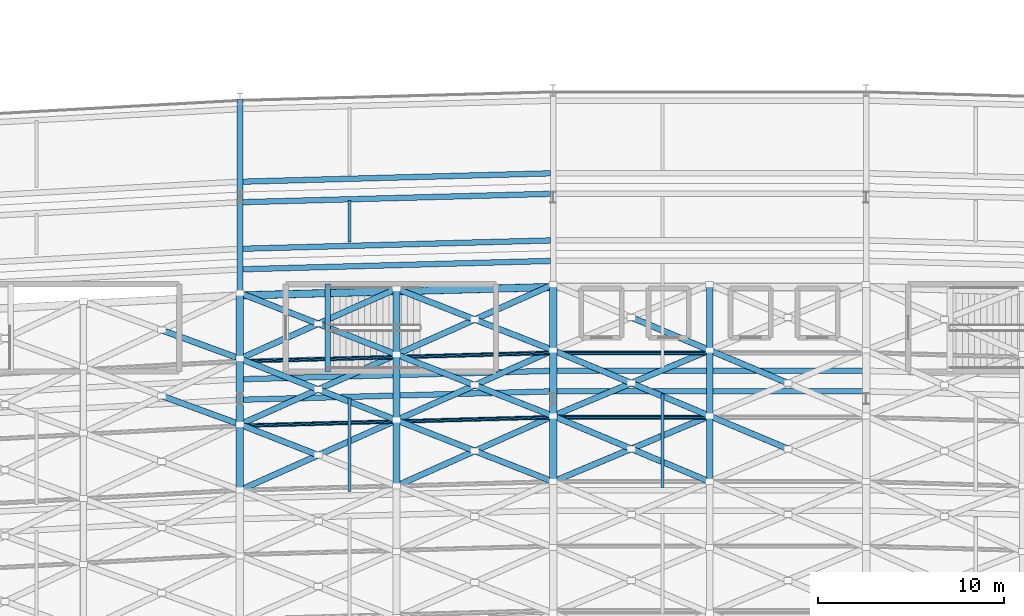
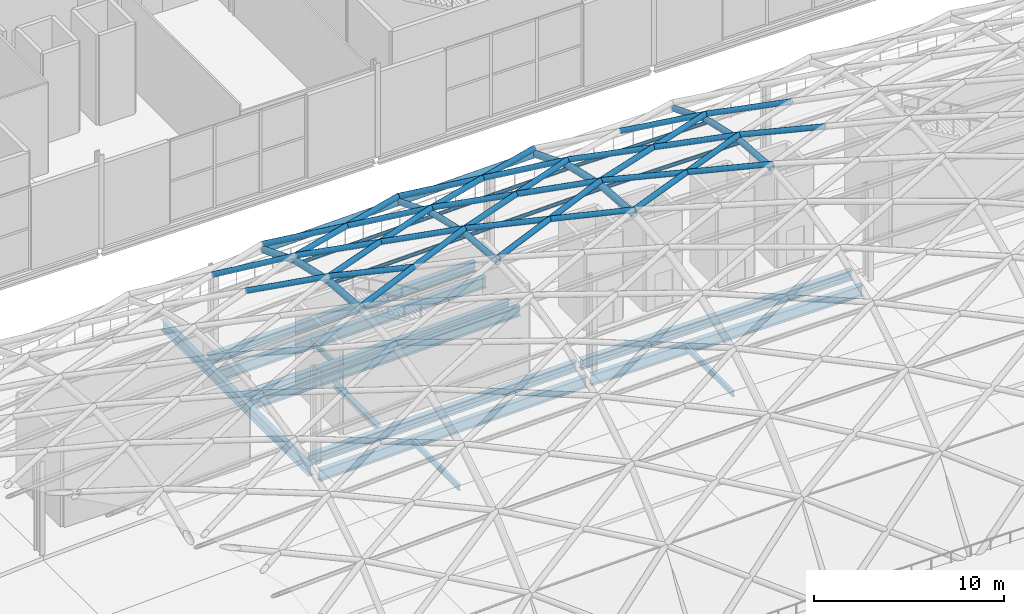
# One storey, part 33 of 100: 48 members, 13 beams.
"""IFC4 building model written with IfcOpenShell, lengths in metres."""

from ifc_helpers import new_model, si_unit, direction, frame, origin, origin_2d, place, context, subcontext, project, spatial, hollow_circle, i_section, extrude, material, material_profile, profile_set, type_object, element, save


model = new_model("IFC4")

# Units and contexts
model_context = context("Model", 3, precision=1e-05, world=origin(), true_north=direction((0.0, 1.0)))
body_context = subcontext(model_context, "Body", "Model", "MODEL_VIEW")
ifc_project = project(units=[si_unit("LENGTHUNIT", "METRE"), si_unit("AREAUNIT", "SQUARE_METRE"), si_unit("VOLUMEUNIT", "CUBIC_METRE"), si_unit("PLANEANGLEUNIT", "RADIAN"), si_unit("MASSUNIT", "GRAM", prefix="KILO")], contexts=[model_context])

# Site, building, storey
site_placement = place(None, origin())
site = spatial("IfcSite", under=ifc_project, at=site_placement, CompositionType="ELEMENT")
building_placement = place(site_placement, origin())
building = spatial("IfcBuilding", under=site, at=building_placement, Name="Kimbaza Rail Terminus", CompositionType="ELEMENT")
storey_placement = place(building_placement, frame((0.0, 0.0, 10.800048828125)))
storey = spatial("IfcBuildingStorey", under=building, at=storey_placement, Name="L02", CompositionType="ELEMENT", Elevation=10.800048828125)

# Beams
ifc_material_1 = material(Name="Steel S355", Category="steel")
ifc_material_profile_1 = material_profile(ifc_material_1, i_section(OverallWidth=0.300048828125, OverallDepth=0.2900390625, WebThickness=0.008544921875, FlangeThickness=0.013916015625, FilletRadius=0.027099609375, at=origin_2d()), Name="HEA 300")
ifc_profile_set_1 = profile_set([ifc_material_profile_1], Name="Steel S355")
beam_type_1 = type_object("IfcBeamType", Name="STR-BM-HEA300", PredefinedType="SPANDREL", material=ifc_profile_set_1)
beam_1_placement = place(storey_placement, frame((93.5, 81.659912109375, -0.405029296875), z_axis=(0.0, 1.0, 0.0), x_axis=(-1.0, 0.0, 0.0)))
element("IfcBeam", 1, at=beam_1_placement, inside=storey, type_object=beam_type_1, Name="Footbridge West Platform Stair Landing Trimmer Beam L02", PredefinedType="SPANDREL", context=body_context, shape_type="SweptSolid", body=[
    extrude(i_section(OverallWidth=0.300048828125, OverallDepth=0.2900390625, WebThickness=0.008544921875, FlangeThickness=0.013916015625, FilletRadius=0.027099609375, at=origin_2d()), origin(), (0.0, 0.0, 1.0), 4.68017578125),
])
ifc_material_2 = material(Name="Steel S355", Category="steel")
ifc_material_profile_2 = material_profile(ifc_material_2, i_section(OverallWidth=0.300048828125, OverallDepth=0.64990234375, WebThickness=0.01611328125, FlangeThickness=0.031005859375, FilletRadius=0.027099609375, at=origin_2d()), Name="HEB 650")
ifc_profile_set_2 = profile_set([ifc_material_profile_2], Name="Steel S355")
beam_type_2 = type_object("IfcBeamType", Name="STR-BM-HEB650", PredefinedType="USERDEFINED", material=ifc_profile_set_2)
for number, where, z_axis, x_axis, name in (
    (2, (88.945068359375, 81.24169921875, -0.5849609375), (0.999632852013, 0.027095408765, 0.0), (-0.027095408765, 0.999632852013, 0.0), "Viaduct Chorded Girder P3 Bay 05"),
    (3, (88.945068359375, 87.1416015625, -0.5849609375), (0.999632852013, 0.027095408765, 0.0), (-0.027095408765, 0.999632852013, 0.0), "Viaduct Chorded Girder P3 Bay 05"),
    (4, (88.945068359375, 91.841552734375, -0.5849609375), (0.999632852013, 0.027095408765, 0.0), (-0.027095408765, 0.999632852013, 0.0), "Viaduct Chorded Girder P4 Bay 05"),
):
    element("IfcBeam", number, at=place(storey_placement, frame(where, z_axis=z_axis, x_axis=x_axis)), inside=storey, type_object=beam_type_2, Name=name, ObjectType="GIRDER", PredefinedType="USERDEFINED", context=body_context, shape_type="SweptSolid", body=[
        extrude(i_section(OverallWidth=0.300048828125, OverallDepth=0.64990234375, WebThickness=0.01611328125, FlangeThickness=0.031005859375, FilletRadius=0.027099609375, at=origin_2d()), origin(), (0.0, 0.0, 1.0), 16.51611328125),
    ])
beam_2_placement = place(storey_placement, frame((105.7451171875, 81.693115234375, -0.5849609375), z_axis=(1.0, 0.0, 0.0), x_axis=(0.0, 1.0, 0.0)))
element("IfcBeam", 5, at=beam_2_placement, inside=storey, type_object=beam_type_2, Name="Viaduct Chorded Girder P3 Bay 06", ObjectType="GIRDER", PredefinedType="USERDEFINED", context=body_context, shape_type="SweptSolid", body=[
    extrude(i_section(OverallWidth=0.300048828125, OverallDepth=0.64990234375, WebThickness=0.01611328125, FlangeThickness=0.031005859375, FilletRadius=0.027099609375, at=origin_2d()), origin(), (0.0, 0.0, 1.0), 16.509765625),
])
ifc_material_3 = material(Name="Steel S355", Category="steel")
ifc_material_profile_3 = material_profile(ifc_material_3, i_section(OverallWidth=0.300048828125, OverallDepth=0.699951171875, WebThickness=0.01708984375, FlangeThickness=0.031982421875, FilletRadius=0.027099609375, at=origin_2d()), Name="HEB 700")
ifc_profile_set_3 = profile_set([ifc_material_profile_3], Name="Steel S355")
beam_type_3 = type_object("IfcBeamType", Name="STR-BM-HEB700", PredefinedType="USERDEFINED", material=ifc_profile_set_3)
beam_3_placement = place(storey_placement, frame((88.800048828125, 80.697998046875, -0.920166015625), z_axis=(0.0, 1.0, 0.0), x_axis=(-1.0, 0.0, 0.0)))
element("IfcBeam", 6, at=beam_3_placement, inside=storey, type_object=beam_type_3, Name="Viaduct North Crosshead Girder VP-05", ObjectType="GIRDER", PredefinedType="USERDEFINED", context=body_context, shape_type="SweptSolid", body=[
    extrude(i_section(OverallWidth=0.300048828125, OverallDepth=0.699951171875, WebThickness=0.01708984375, FlangeThickness=0.031982421875, FilletRadius=0.027099609375, at=origin_2d()), origin(), (0.0, 0.0, 1.0), 15.589599609375),
])
for number, where, z_axis, x_axis, name in (
    (7, (88.945068359375, 80.1416015625, -0.920166015625), (0.999632852013, 0.027095408765, 0.0), (-0.027095408765, 0.999632852013, 0.0), "Viaduct Chorded Girder TR34 Bay 05"),
    (8, (88.945068359375, 88.24169921875, -0.920166015625), (0.999632852013, 0.027095408765, 0.0), (-0.027095408765, 0.999632852013, 0.0), "Viaduct Chorded Girder TR56 Bay 05"),
    (9, (88.945068359375, 90.74169921875, -0.920166015625), (0.999632852013, 0.027095408765, 0.0), (-0.027095408765, 0.999632852013, 0.0), "Viaduct Chorded Girder TR56 Bay 05"),
):
    element("IfcBeam", number, at=place(storey_placement, frame(where, z_axis=z_axis, x_axis=x_axis)), inside=storey, type_object=beam_type_3, Name=name, ObjectType="GIRDER", PredefinedType="USERDEFINED", context=body_context, shape_type="SweptSolid", body=[
        extrude(i_section(OverallWidth=0.300048828125, OverallDepth=0.699951171875, WebThickness=0.01708984375, FlangeThickness=0.031982421875, FilletRadius=0.027099609375, at=origin_2d()), origin(), (0.0, 0.0, 1.0), 16.51611328125),
    ])
beam_4_placement = place(storey_placement, frame((105.7451171875, 80.593017578125, -0.920166015625), z_axis=(1.0, 0.0, 0.0), x_axis=(0.0, 1.0, 0.0)))
element("IfcBeam", 10, at=beam_4_placement, inside=storey, type_object=beam_type_3, Name="Viaduct Chorded Girder TR34 Bay 06", ObjectType="GIRDER", PredefinedType="USERDEFINED", context=body_context, shape_type="SweptSolid", body=[
    extrude(i_section(OverallWidth=0.300048828125, OverallDepth=0.699951171875, WebThickness=0.01708984375, FlangeThickness=0.031982421875, FilletRadius=0.027099609375, at=origin_2d()), origin(), (0.0, 0.0, 1.0), 16.509765625),
])
ifc_material_4 = material(Name="Steel S355", Category="steel")
ifc_material_profile_4 = material_profile(ifc_material_4, i_section(OverallWidth=0.169921875, OverallDepth=0.360107421875, WebThickness=0.008056640625, FlangeThickness=0.0126953125, FilletRadius=0.01806640625, at=origin_2d()), Name="IPE 360")
ifc_profile_set_4 = profile_set([ifc_material_profile_4], Name="Steel S355")
beam_type_4 = type_object("IfcBeamType", Name="STR-BM-IPE360", PredefinedType="JOIST", material=ifc_profile_set_4)
beam_5_placement = place(storey_placement, frame((94.679931640625, 75.21044921875, -0.75), z_axis=(0.0, 1.0, 0.0), x_axis=(-1.0, 0.0, 0.0)))
element("IfcBeam", 11, at=beam_5_placement, inside=storey, type_object=beam_type_4, Name="Viaduct Diaphragm TR34 Bay 05", PredefinedType="JOIST", context=body_context, shape_type="SweptSolid", body=[
    extrude(i_section(OverallWidth=0.169921875, OverallDepth=0.360107421875, WebThickness=0.008056640625, FlangeThickness=0.0126953125, FilletRadius=0.01806640625, at=origin_2d()), origin(), (0.0, 0.0, 1.0), 5.010009765625),
])
beam_6_placement = place(storey_placement, frame((94.679931640625, 88.6103515625, -0.75), z_axis=(0.0, 1.0, 0.0), x_axis=(-1.0, 0.0, 0.0)))
element("IfcBeam", 12, at=beam_6_placement, inside=storey, type_object=beam_type_4, Name="Viaduct Diaphragm TR56 Bay 05", PredefinedType="JOIST", context=body_context, shape_type="SweptSolid", body=[
    extrude(i_section(OverallWidth=0.169921875, OverallDepth=0.360107421875, WebThickness=0.008056640625, FlangeThickness=0.0126953125, FilletRadius=0.01806640625, at=origin_2d()), origin(), (0.0, 0.0, 1.0), 2.2099609375),
])
beam_7_placement = place(storey_placement, frame((111.47998046875, 75.43798828125, -0.75), z_axis=(0.0, 1.0, 0.0), x_axis=(-1.0, 0.0, 0.0)))
element("IfcBeam", 13, at=beam_7_placement, inside=storey, type_object=beam_type_4, Name="Viaduct Diaphragm TR34 Bay 06", PredefinedType="JOIST", context=body_context, shape_type="SweptSolid", body=[
    extrude(i_section(OverallWidth=0.169921875, OverallDepth=0.360107421875, WebThickness=0.008056640625, FlangeThickness=0.0126953125, FilletRadius=0.01806640625, at=origin_2d()), origin(), (0.0, 0.0, 1.0), 5.010009765625),
])

# Members
ifc_material_5 = material(Name="White painted steel S355", Category="steel")
ifc_material_profile_5 = material_profile(ifc_material_5, hollow_circle(Radius=0.109619140625, WallThickness=0.008056640625, at=origin_2d()), Name="CHS 219.1x8")
ifc_profile_set_5 = profile_set([ifc_material_profile_5], Name="White painted steel S355")
member_type_1 = type_object("IfcMemberType", Name="STR-MB-CHS219", PredefinedType="PURLIN", material=ifc_profile_set_5)
for number, where, z_axis, x_axis, name in (
    (14, (88.800048828125, 78.74462890625, 12.25244140625), (0.999632526959, 0.027107398351, 0.0), (-0.027107398351, 0.999632526959, 0.0), "Vault lattice longitudinal purlin VR-08-VA08"),
    (15, (88.800048828125, 82.20166015625, 11.462158203125), (0.999632526959, 0.027107398351, 0.0), (-0.027107398351, 0.999632526959, 0.0), "Vault lattice longitudinal purlin VR-08-VA09"),
):
    element("IfcMember", number, at=place(storey_placement, frame(where, z_axis=z_axis, x_axis=x_axis)), inside=storey, type_object=member_type_1, Name=name, PredefinedType="PURLIN", context=body_context, shape_type="SweptSolid", body=[
        extrude(hollow_circle(Radius=0.109619140625, WallThickness=0.008056640625, at=origin_2d()), origin(), (0.0, 0.0, 1.0), 8.403076171875),
    ])
for number, where, z_axis, x_axis, name in (
    (16, (97.199951171875, 78.972412109375, 12.25244140625), (0.999632548307, 0.027106611084, 0.0), (-0.027106611084, 0.999632548307, 0.0), "Vault lattice longitudinal purlin VR-09-VA08"),
    (17, (97.199951171875, 82.429443359375, 11.462158203125), (0.999632548307, 0.027106611084, 0.0), (-0.027106611084, 0.999632548307, 0.0), "Vault lattice longitudinal purlin VR-09-VA09"),
):
    element("IfcMember", number, at=place(storey_placement, frame(where, z_axis=z_axis, x_axis=x_axis)), inside=storey, type_object=member_type_1, Name=name, PredefinedType="PURLIN", context=body_context, shape_type="SweptSolid", body=[
        extrude(hollow_circle(Radius=0.109619140625, WallThickness=0.008056640625, at=origin_2d()), origin(), (0.0, 0.0, 1.0), 8.4033203125),
    ])
for number, where, z_axis, x_axis, name in (
    (18, (105.60009765625, 79.2001953125, 12.25244140625), (1.0, 0.0, 0.0), (0.0, 1.0, 0.0), "Vault lattice longitudinal purlin VR-10-VA08"),
    (19, (105.60009765625, 82.6572265625, 11.462158203125), (1.0, 0.0, 0.0), (0.0, 1.0, 0.0), "Vault lattice longitudinal purlin VR-10-VA09"),
):
    element("IfcMember", number, at=place(storey_placement, frame(where, z_axis=z_axis, x_axis=x_axis)), inside=storey, type_object=member_type_1, Name=name, PredefinedType="PURLIN", context=body_context, shape_type="SweptSolid", body=[
        extrude(hollow_circle(Radius=0.109619140625, WallThickness=0.008056640625, at=origin_2d()), origin(), (0.0, 0.0, 1.0), 8.39990234375),
    ])
ifc_material_6 = material(Name="White painted steel S355", Category="steel")
ifc_material_profile_6 = material_profile(ifc_material_6, hollow_circle(Radius=0.161865234375, WallThickness=0.010009765625, at=origin_2d()), Name="CHS 323.9x10")
ifc_profile_set_6 = profile_set([ifc_material_profile_6], Name="White painted steel S355")
member_type_2 = type_object("IfcMemberType", Name="STR-MB-CHS323", PredefinedType="STRUT", material=ifc_profile_set_6)
member_1_placement = place(storey_placement, frame((88.800048828125, 78.814208984375, 12.71728515625), z_axis=(-0.935414732903, 0.34196496281, -0.089773279313), x_axis=(-0.343351337448, -0.939207037385, 0.0)))
element("IfcMember", 20, at=member_1_placement, inside=storey, type_object=member_type_2, Name="Vault lattice diagonal B1 VR-07-VA08", PredefinedType="STRUT", context=body_context, shape_type="SweptSolid", body=[
    extrude(hollow_circle(Radius=0.161865234375, WallThickness=0.010009765625, at=origin_2d()), origin(), (0.0, 0.0, 1.0), 4.489990234375),
])
member_2_placement = place(storey_placement, frame((88.800048828125, 82.341064453125, 11.9111328125), z_axis=(-0.927730163027, 0.339155670248, -0.155853058836), x_axis=(-0.343351337448, -0.939207037385, 0.0)))
element("IfcMember", 21, at=member_2_placement, inside=storey, type_object=member_type_2, Name="Vault lattice diagonal B1 VR-07-VA09", PredefinedType="STRUT", context=body_context, shape_type="SweptSolid", body=[
    extrude(hollow_circle(Radius=0.161865234375, WallThickness=0.010009765625, at=origin_2d()), origin(), (0.0, 0.0, 1.0), 4.527099609375),
])
member_3_placement = place(storey_placement, frame((88.800048828125, 75.28759765625, 12.97998046875), z_axis=(0.912586348206, 0.407886789011, -0.028539874169), x_axis=(-0.408053007434, 0.912958237338, 0.0)))
element("IfcMember", 22, at=member_3_placement, inside=storey, type_object=member_type_2, Name="Vault lattice diagonal A VR-08-VA07", PredefinedType="STRUT", context=body_context, shape_type="SweptSolid", body=[
    extrude(hollow_circle(Radius=0.161865234375, WallThickness=0.010009765625, at=origin_2d()), origin(), (0.0, 0.0, 1.0), 9.20458984375),
])
member_4_placement = place(storey_placement, frame((93.0, 77.164794921875, 12.8486328125), z_axis=(-0.930400129761, 0.365388785483, -0.029096975517), x_axis=(-0.365543559049, -0.93079423421, 0.0)))
element("IfcMember", 23, at=member_4_placement, inside=storey, type_object=member_type_2, Name="Vault lattice diagonal B2 VR-08-VA07", PredefinedType="STRUT", context=body_context, shape_type="SweptSolid", body=[
    extrude(hollow_circle(Radius=0.161865234375, WallThickness=0.010009765625, at=origin_2d()), origin(), (0.0, 0.0, 1.0), 4.51416015625),
])
member_5_placement = place(storey_placement, frame((88.800048828125, 78.814208984375, 12.71728515625), z_axis=(0.909473927831, 0.406495671167, -0.087283697893), x_axis=(-0.408053007434, 0.912958237338, 0.0)))
element("IfcMember", 24, at=member_5_placement, inside=storey, type_object=member_type_2, Name="Vault lattice diagonal A VR-08-VA08", PredefinedType="STRUT", context=body_context, shape_type="SweptSolid", body=[
    extrude(hollow_circle(Radius=0.161865234375, WallThickness=0.010009765625, at=origin_2d()), origin(), (0.0, 0.0, 1.0), 9.236083984375),
])
for number, where, z_axis, x_axis, name in (
    (25, (97.199951171875, 79.0419921875, 12.71728515625), (-0.927102528361, 0.364093744208, -0.088975543471), (-0.365543559049, -0.93079423421, 0.0), "Vault lattice diagonal B1 VR-08-VA08"),
    (26, (93.0, 80.69140625, 12.314208984375), (-0.927084336215, 0.364140490601, -0.088973797541), (-0.36559043434, -0.93077582388, 0.0), "Vault lattice diagonal B2 VR-08-VA08"),
):
    element("IfcMember", number, at=place(storey_placement, frame(where, z_axis=z_axis, x_axis=x_axis)), inside=storey, type_object=member_type_2, Name=name, PredefinedType="STRUT", context=body_context, shape_type="SweptSolid", body=[
        extrude(hollow_circle(Radius=0.161865234375, WallThickness=0.010009765625, at=origin_2d()), origin(), (0.0, 0.0, 1.0), 4.5302734375),
    ])
member_6_placement = place(storey_placement, frame((88.800048828125, 82.341064453125, 11.9111328125), z_axis=(0.902402775683, 0.403335170739, -0.151624438942), x_axis=(-0.408053007434, 0.912958237338, 0.0)))
element("IfcMember", 27, at=member_6_placement, inside=storey, type_object=member_type_2, Name="Vault lattice diagonal A VR-08-VA09", PredefinedType="STRUT", context=body_context, shape_type="SweptSolid", body=[
    extrude(hollow_circle(Radius=0.161865234375, WallThickness=0.010009765625, at=origin_2d()), origin(), (0.0, 0.0, 1.0), 9.308349609375),
])
for number, where, z_axis, x_axis, name in (
    (28, (97.199951171875, 82.568603515625, 11.9111328125), (-0.91960161914, 0.361201426526, -0.154487512603), (-0.36559043434, -0.93077582388, 0.0), "Vault lattice diagonal B1 VR-08-VA09"),
    (29, (93.0, 84.21826171875, 11.20556640625), (-0.919611778348, 0.361151960386, -0.154542675766), (-0.365543559049, -0.93079423421, 0.0), "Vault lattice diagonal B2 VR-08-VA09"),
):
    element("IfcMember", number, at=place(storey_placement, frame(where, z_axis=z_axis, x_axis=x_axis)), inside=storey, type_object=member_type_2, Name=name, PredefinedType="STRUT", context=body_context, shape_type="SweptSolid", body=[
        extrude(hollow_circle(Radius=0.161865234375, WallThickness=0.010009765625, at=origin_2d()), origin(), (0.0, 0.0, 1.0), 4.567138671875),
    ])
member_7_placement = place(storey_placement, frame((97.199951171875, 75.515380859375, 12.97998046875), z_axis=(0.912590782499, 0.407876916129, -0.028539183363), x_axis=(-0.408043122478, 0.912962655424, 0.0)))
element("IfcMember", 30, at=member_7_placement, inside=storey, type_object=member_type_2, Name="Vault lattice diagonal A VR-09-VA07", PredefinedType="STRUT", context=body_context, shape_type="SweptSolid", body=[
    extrude(hollow_circle(Radius=0.161865234375, WallThickness=0.010009765625, at=origin_2d()), origin(), (0.0, 0.0, 1.0), 9.204833984375),
])
member_8_placement = place(storey_placement, frame((105.60009765625, 75.7431640625, 12.97998046875), z_axis=(-0.930407395647, 0.365370400197, -0.029095511443), x_axis=(-0.365525150391, -0.930801463488, 0.0)))
element("IfcMember", 31, at=member_8_placement, inside=storey, type_object=member_type_2, Name="Vault lattice diagonal B1 VR-09-VA07", PredefinedType="STRUT", context=body_context, shape_type="SweptSolid", body=[
    extrude(hollow_circle(Radius=0.161865234375, WallThickness=0.010009765625, at=origin_2d()), origin(), (0.0, 0.0, 1.0), 4.514404296875),
])
member_9_placement = place(storey_placement, frame((101.39990234375, 77.392578125, 12.8486328125), z_axis=(-0.930400129761, 0.365388785483, -0.029096975517), x_axis=(-0.365543559049, -0.93079423421, 0.0)))
element("IfcMember", 32, at=member_9_placement, inside=storey, type_object=member_type_2, Name="Vault lattice diagonal B2 VR-09-VA07", PredefinedType="STRUT", context=body_context, shape_type="SweptSolid", body=[
    extrude(hollow_circle(Radius=0.161865234375, WallThickness=0.010009765625, at=origin_2d()), origin(), (0.0, 0.0, 1.0), 4.51416015625),
])
member_10_placement = place(storey_placement, frame((97.199951171875, 79.0419921875, 12.71728515625), z_axis=(0.909478496901, 0.406485898955, -0.087281599581), x_axis=(-0.408043122478, 0.912962655424, 0.0)))
element("IfcMember", 33, at=member_10_placement, inside=storey, type_object=member_type_2, Name="Vault lattice diagonal A VR-09-VA08", PredefinedType="STRUT", context=body_context, shape_type="SweptSolid", body=[
    extrude(hollow_circle(Radius=0.161865234375, WallThickness=0.010009765625, at=origin_2d()), origin(), (0.0, 0.0, 1.0), 9.236328125),
])
member_11_placement = place(storey_placement, frame((105.60009765625, 79.269775390625, 12.71728515625), z_axis=(-0.927110098578, 0.364075553708, -0.08897109816), x_axis=(-0.365525150391, -0.930801463488, 0.0)))
element("IfcMember", 34, at=member_11_placement, inside=storey, type_object=member_type_2, Name="Vault lattice diagonal B1 VR-09-VA08", PredefinedType="STRUT", context=body_context, shape_type="SweptSolid", body=[
    extrude(hollow_circle(Radius=0.161865234375, WallThickness=0.010009765625, at=origin_2d()), origin(), (0.0, 0.0, 1.0), 4.530517578125),
])
member_12_placement = place(storey_placement, frame((101.39990234375, 80.919189453125, 12.314208984375), z_axis=(-0.927102528361, 0.364093744208, -0.088975543471), x_axis=(-0.365543559049, -0.93079423421, 0.0)))
element("IfcMember", 35, at=member_12_placement, inside=storey, type_object=member_type_2, Name="Vault lattice diagonal B2 VR-09-VA08", PredefinedType="STRUT", context=body_context, shape_type="SweptSolid", body=[
    extrude(hollow_circle(Radius=0.161865234375, WallThickness=0.010009765625, at=origin_2d()), origin(), (0.0, 0.0, 1.0), 4.5302734375),
])
member_13_placement = place(storey_placement, frame((97.199951171875, 82.568603515625, 11.9111328125), z_axis=(0.902407645255, 0.40332562469, -0.151620850327), x_axis=(-0.408043122478, 0.912962655424, 0.0)))
element("IfcMember", 36, at=member_13_placement, inside=storey, type_object=member_type_2, Name="Vault lattice diagonal A VR-09-VA09", PredefinedType="STRUT", context=body_context, shape_type="SweptSolid", body=[
    extrude(hollow_circle(Radius=0.161865234375, WallThickness=0.010009765625, at=origin_2d()), origin(), (0.0, 0.0, 1.0), 9.30859375),
])
member_14_placement = place(storey_placement, frame((105.60009765625, 82.79638671875, 11.9111328125), z_axis=(-0.919627622129, 0.361137189904, -0.154482900951), x_axis=(-0.365525150391, -0.930801463488, 0.0)))
element("IfcMember", 37, at=member_14_placement, inside=storey, type_object=member_type_2, Name="Vault lattice diagonal B1 VR-09-VA09", PredefinedType="STRUT", context=body_context, shape_type="SweptSolid", body=[
    extrude(hollow_circle(Radius=0.161865234375, WallThickness=0.010009765625, at=origin_2d()), origin(), (0.0, 0.0, 1.0), 4.5673828125),
])
member_15_placement = place(storey_placement, frame((101.39990234375, 84.44580078125, 11.20556640625), z_axis=(-0.919594023605, 0.361198443149, -0.154539692044), x_axis=(-0.36559043434, -0.93077582388, 0.0)))
element("IfcMember", 38, at=member_15_placement, inside=storey, type_object=member_type_2, Name="Vault lattice diagonal B2 VR-09-VA09", PredefinedType="STRUT", context=body_context, shape_type="SweptSolid", body=[
    extrude(hollow_circle(Radius=0.161865234375, WallThickness=0.010009765625, at=origin_2d()), origin(), (0.0, 0.0, 1.0), 4.567138671875),
])
member_16_placement = place(storey_placement, frame((105.60009765625, 75.7431640625, 12.97998046875), z_axis=(0.921651823609, 0.38694589874, -0.028823384357), x_axis=(-0.387106733867, 0.922034910725, 0.0)))
element("IfcMember", 39, at=member_16_placement, inside=storey, type_object=member_type_2, Name="Vault lattice diagonal A VR-10-VA07", PredefinedType="STRUT", context=body_context, shape_type="SweptSolid", body=[
    extrude(hollow_circle(Radius=0.161865234375, WallThickness=0.010009765625, at=origin_2d()), origin(), (0.0, 0.0, 1.0), 9.114013671875),
])
member_17_placement = place(storey_placement, frame((114.0, 75.7431640625, 12.97998046875), z_axis=(-0.921661376649, 0.386923121674, -0.028823683116), x_axis=(-0.38708395067, -0.922044475681, 0.0)))
element("IfcMember", 40, at=member_17_placement, inside=storey, type_object=member_type_2, Name="Vault lattice diagonal B1 VR-10-VA07", PredefinedType="STRUT", context=body_context, shape_type="SweptSolid", body=[
    extrude(hollow_circle(Radius=0.161865234375, WallThickness=0.010009765625, at=origin_2d()), origin(), (0.0, 0.0, 1.0), 4.556884765625),
])
member_18_placement = place(storey_placement, frame((109.800048828125, 77.50634765625, 12.8486328125), z_axis=(-0.921642270206, 0.386968675097, -0.028823085588), x_axis=(-0.387129516355, -0.922025345404, 0.0)))
element("IfcMember", 41, at=member_18_placement, inside=storey, type_object=member_type_2, Name="Vault lattice diagonal B2 VR-10-VA07", PredefinedType="STRUT", context=body_context, shape_type="SweptSolid", body=[
    extrude(hollow_circle(Radius=0.161865234375, WallThickness=0.010009765625, at=origin_2d()), origin(), (0.0, 0.0, 1.0), 4.55712890625),
])
member_19_placement = place(storey_placement, frame((105.60009765625, 79.269775390625, 12.71728515625), z_axis=(0.918446051107, 0.385599988614, -0.088144767214), x_axis=(-0.387106733867, 0.922034910725, 0.0)))
element("IfcMember", 42, at=member_19_placement, inside=storey, type_object=member_type_2, Name="Vault lattice diagonal A VR-10-VA08", PredefinedType="STRUT", context=body_context, shape_type="SweptSolid", body=[
    extrude(hollow_circle(Radius=0.161865234375, WallThickness=0.010009765625, at=origin_2d()), origin(), (0.0, 0.0, 1.0), 9.145751953125),
])
member_20_placement = place(storey_placement, frame((114.0, 79.269775390625, 12.71728515625), z_axis=(-0.918455504807, 0.385577263019, -0.088145674501), x_axis=(-0.38708395067, -0.922044475681, 0.0)))
element("IfcMember", 43, at=member_20_placement, inside=storey, type_object=member_type_2, Name="Vault lattice diagonal B1 VR-10-VA08", PredefinedType="STRUT", context=body_context, shape_type="SweptSolid", body=[
    extrude(hollow_circle(Radius=0.161865234375, WallThickness=0.010009765625, at=origin_2d()), origin(), (0.0, 0.0, 1.0), 4.57275390625),
])
member_21_placement = place(storey_placement, frame((109.800048828125, 81.032958984375, 12.314208984375), z_axis=(-0.918436597045, 0.385622713507, -0.088143859892), x_axis=(-0.387129516355, -0.922025345404, 0.0)))
element("IfcMember", 44, at=member_21_placement, inside=storey, type_object=member_type_2, Name="Vault lattice diagonal B2 VR-10-VA08", PredefinedType="STRUT", context=body_context, shape_type="SweptSolid", body=[
    extrude(hollow_circle(Radius=0.161865234375, WallThickness=0.010009765625, at=origin_2d()), origin(), (0.0, 0.0, 1.0), 4.572998046875),
])
member_22_placement = place(storey_placement, frame((114.0, 82.79638671875, 11.9111328125), z_axis=(-0.911159695133, 0.382567370688, -0.153069320405), x_axis=(-0.387129516355, -0.922025345404, 0.0)))
element("IfcMember", 45, at=member_22_placement, inside=storey, type_object=member_type_2, Name="Vault lattice diagonal B1 VR-10-VA09", PredefinedType="STRUT", context=body_context, shape_type="SweptSolid", body=[
    extrude(hollow_circle(Radius=0.161865234375, WallThickness=0.010009765625, at=origin_2d()), origin(), (0.0, 0.0, 1.0), 4.609375),
])
member_23_placement = place(storey_placement, frame((118.199951171875, 77.50634765625, 12.8486328125), z_axis=(-0.921642270206, 0.386968675097, -0.028823085588), x_axis=(-0.387129516355, -0.922025345404, 0.0)))
element("IfcMember", 46, at=member_23_placement, inside=storey, type_object=member_type_2, Name="Vault lattice diagonal B2 VR-11-VA07", PredefinedType="STRUT", context=body_context, shape_type="SweptSolid", body=[
    extrude(hollow_circle(Radius=0.161865234375, WallThickness=0.010009765625, at=origin_2d()), origin(), (0.0, 0.0, 1.0), 4.55712890625),
])
member_24_placement = place(storey_placement, frame((118.199951171875, 81.032958984375, 12.314208984375), z_axis=(-0.918436597045, 0.385622713507, -0.088143859892), x_axis=(-0.387129516355, -0.922025345404, 0.0)))
element("IfcMember", 47, at=member_24_placement, inside=storey, type_object=member_type_2, Name="Vault lattice diagonal B2 VR-11-VA08", PredefinedType="STRUT", context=body_context, shape_type="SweptSolid", body=[
    extrude(hollow_circle(Radius=0.161865234375, WallThickness=0.010009765625, at=origin_2d()), origin(), (0.0, 0.0, 1.0), 4.572998046875),
])
ifc_material_7 = material(Name="White painted steel S355", Category="steel")
ifc_material_profile_7 = material_profile(ifc_material_7, hollow_circle(Radius=0.177734375, WallThickness=0.012451171875, at=origin_2d()), Name="CHS 355.6x12.5")
ifc_profile_set_7 = profile_set([ifc_material_profile_7], Name="White painted steel S355")
member_type_3 = type_object("IfcMemberType", Name="STR-MB-CHS355", PredefinedType="CHORD", material=ifc_profile_set_7)
member_25_placement = place(storey_placement, frame((97.199951171875, 75.515380859375, 12.679931640625), z_axis=(0.0, 0.997239447362, -0.074252842537), x_axis=(-1.0, 0.0, 0.0)))
element("IfcMember", 48, at=member_25_placement, inside=storey, type_object=member_type_3, Name="Vault lattice arch chord VR-09 seg 8", PredefinedType="CHORD", context=body_context, shape_type="SweptSolid", body=[
    extrude(hollow_circle(Radius=0.177734375, WallThickness=0.012451171875, at=origin_2d()), origin(), (0.0, 0.0, 1.0), 3.49169921875),
])
member_26_placement = place(storey_placement, frame((97.199951171875, 78.99755859375, 12.420654296875), z_axis=(0.0, 0.974845354939, -0.22288233208), x_axis=(-1.0, 0.0, 0.0)))
element("IfcMember", 49, at=member_26_placement, inside=storey, type_object=member_type_3, Name="Vault lattice arch chord VR-09 seg 9", PredefinedType="CHORD", context=body_context, shape_type="SweptSolid", body=[
    extrude(hollow_circle(Radius=0.177734375, WallThickness=0.012451171875, at=origin_2d()), origin(), (0.0, 0.0, 1.0), 3.572021484375),
])
member_27_placement = place(storey_placement, frame((97.199951171875, 82.479736328125, 11.62451171875), z_axis=(0.0, 0.928422814748, -0.371525338375), x_axis=(-1.0, 0.0, 0.0)))
element("IfcMember", 50, at=member_27_placement, inside=storey, type_object=member_type_3, Name="Vault lattice arch chord VR-09 seg 10", PredefinedType="CHORD", context=body_context, shape_type="SweptSolid", body=[
    extrude(hollow_circle(Radius=0.177734375, WallThickness=0.012451171875, at=origin_2d()), origin(), (0.0, 0.0, 1.0), 3.7509765625),
])
member_28_placement = place(storey_placement, frame((114.0, 75.7431640625, 12.679931640625), z_axis=(0.0, 0.997239447362, -0.074252842537), x_axis=(-1.0, 0.0, 0.0)))
element("IfcMember", 51, at=member_28_placement, inside=storey, type_object=member_type_3, Name="Vault lattice arch chord VR-11 seg 8", PredefinedType="CHORD", context=body_context, shape_type="SweptSolid", body=[
    extrude(hollow_circle(Radius=0.177734375, WallThickness=0.012451171875, at=origin_2d()), origin(), (0.0, 0.0, 1.0), 3.49169921875),
])
member_29_placement = place(storey_placement, frame((114.0, 79.225341796875, 12.420654296875), z_axis=(0.0, 0.974845354939, -0.22288233208), x_axis=(-1.0, 0.0, 0.0)))
element("IfcMember", 52, at=member_29_placement, inside=storey, type_object=member_type_3, Name="Vault lattice arch chord VR-11 seg 9", PredefinedType="CHORD", context=body_context, shape_type="SweptSolid", body=[
    extrude(hollow_circle(Radius=0.177734375, WallThickness=0.012451171875, at=origin_2d()), origin(), (0.0, 0.0, 1.0), 3.572021484375),
])
member_30_placement = place(storey_placement, frame((114.0, 82.70751953125, 11.62451171875), z_axis=(0.0, 0.928413829694, -0.37154779078), x_axis=(-1.0, 0.0, 0.0)))
element("IfcMember", 53, at=member_30_placement, inside=storey, type_object=member_type_3, Name="Vault lattice arch chord VR-11 seg 10", PredefinedType="CHORD", context=body_context, shape_type="SweptSolid", body=[
    extrude(hollow_circle(Radius=0.177734375, WallThickness=0.012451171875, at=origin_2d()), origin(), (0.0, 0.0, 1.0), 3.750732421875),
])
ifc_material_8 = material(Name="White painted steel S355", Category="steel")
ifc_material_profile_8 = material_profile(ifc_material_8, hollow_circle(Radius=0.203125, WallThickness=0.01416015625, at=origin_2d()), Name="CHS 406.4x14.2")
ifc_profile_set_8 = profile_set([ifc_material_profile_8], Name="White painted steel S355")
member_type_4 = type_object("IfcMemberType", Name="STR-MB-CHS406", PredefinedType="CHORD", material=ifc_profile_set_8)
member_31_placement = place(storey_placement, frame((88.800048828125, 75.28759765625, 12.679931640625), z_axis=(0.0, 0.997239447362, -0.074252842537), x_axis=(-1.0, 0.0, 0.0)))
element("IfcMember", 54, at=member_31_placement, inside=storey, type_object=member_type_4, Name="Vault lattice arch chord VR-08 seg 8", PredefinedType="CHORD", context=body_context, shape_type="SweptSolid", body=[
    extrude(hollow_circle(Radius=0.203125, WallThickness=0.01416015625, at=origin_2d()), origin(), (0.0, 0.0, 1.0), 3.49169921875),
])
member_32_placement = place(storey_placement, frame((88.800048828125, 78.769775390625, 12.420654296875), z_axis=(0.0, 0.974848749884, -0.22286748271), x_axis=(-1.0, 0.0, 0.0)))
element("IfcMember", 55, at=member_32_placement, inside=storey, type_object=member_type_4, Name="Vault lattice arch chord VR-08 seg 9", PredefinedType="CHORD", context=body_context, shape_type="SweptSolid", body=[
    extrude(hollow_circle(Radius=0.203125, WallThickness=0.01416015625, at=origin_2d()), origin(), (0.0, 0.0, 1.0), 3.572265625),
])
member_33_placement = place(storey_placement, frame((88.800048828125, 82.252197265625, 11.62451171875), z_axis=(0.0, 0.928413829694, -0.37154779078), x_axis=(-1.0, 0.0, 0.0)))
element("IfcMember", 56, at=member_33_placement, inside=storey, type_object=member_type_4, Name="Vault lattice arch chord VR-08 seg 10", PredefinedType="CHORD", context=body_context, shape_type="SweptSolid", body=[
    extrude(hollow_circle(Radius=0.203125, WallThickness=0.01416015625, at=origin_2d()), origin(), (0.0, 0.0, 1.0), 3.750732421875),
])
member_34_placement = place(storey_placement, frame((105.60009765625, 75.7431640625, 12.679931640625), z_axis=(0.0, 0.997239447362, -0.074252842537), x_axis=(-1.0, 0.0, 0.0)))
element("IfcMember", 57, at=member_34_placement, inside=storey, type_object=member_type_4, Name="Vault lattice arch chord VR-10 seg 8", PredefinedType="CHORD", context=body_context, shape_type="SweptSolid", body=[
    extrude(hollow_circle(Radius=0.203125, WallThickness=0.01416015625, at=origin_2d()), origin(), (0.0, 0.0, 1.0), 3.49169921875),
])
member_35_placement = place(storey_placement, frame((105.60009765625, 79.225341796875, 12.420654296875), z_axis=(0.0, 0.974845354939, -0.22288233208), x_axis=(-1.0, 0.0, 0.0)))
element("IfcMember", 58, at=member_35_placement, inside=storey, type_object=member_type_4, Name="Vault lattice arch chord VR-10 seg 9", PredefinedType="CHORD", context=body_context, shape_type="SweptSolid", body=[
    extrude(hollow_circle(Radius=0.203125, WallThickness=0.01416015625, at=origin_2d()), origin(), (0.0, 0.0, 1.0), 3.572021484375),
])
member_36_placement = place(storey_placement, frame((105.60009765625, 82.70751953125, 11.62451171875), z_axis=(0.0, 0.928413829694, -0.37154779078), x_axis=(-1.0, 0.0, 0.0)))
element("IfcMember", 59, at=member_36_placement, inside=storey, type_object=member_type_4, Name="Vault lattice arch chord VR-10 seg 10", PredefinedType="CHORD", context=body_context, shape_type="SweptSolid", body=[
    extrude(hollow_circle(Radius=0.203125, WallThickness=0.01416015625, at=origin_2d()), origin(), (0.0, 0.0, 1.0), 3.750732421875),
])
member_37_placement = place(storey_placement, frame((88.800048828125, 85.734375, 10.23095703125), z_axis=(0.999632526959, 0.027107398351, 0.0), x_axis=(-0.027107398351, 0.999632526959, 0.0)))
element("IfcMember", 60, at=member_37_placement, inside=storey, type_object=member_type_4, Name="Vault lattice springing ring chord VR-08", PredefinedType="CHORD", context=body_context, shape_type="SweptSolid", body=[
    extrude(hollow_circle(Radius=0.203125, WallThickness=0.01416015625, at=origin_2d()), origin(), (0.0, 0.0, 1.0), 8.403076171875),
])
member_38_placement = place(storey_placement, frame((97.199951171875, 85.962158203125, 10.23095703125), z_axis=(0.99963333513, 0.027077579223, 0.0), x_axis=(-0.027077579223, 0.99963333513, 0.0)))
element("IfcMember", 61, at=member_38_placement, inside=storey, type_object=member_type_4, Name="Vault lattice springing ring chord VR-09", PredefinedType="CHORD", context=body_context, shape_type="SweptSolid", body=[
    extrude(hollow_circle(Radius=0.203125, WallThickness=0.01416015625, at=origin_2d()), origin(), (0.0, 0.0, 1.0), 8.4033203125),
])

save(model, "model.ifc")
